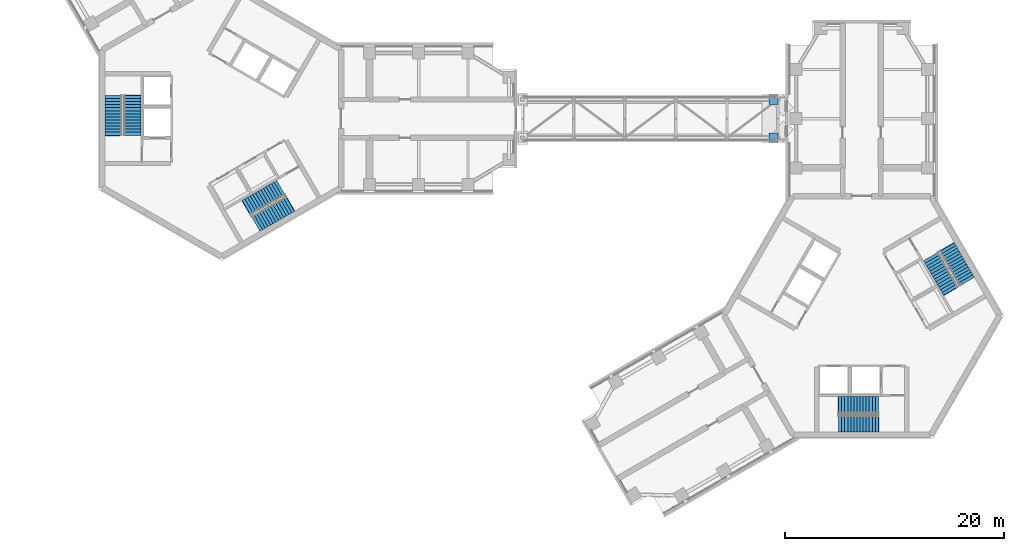
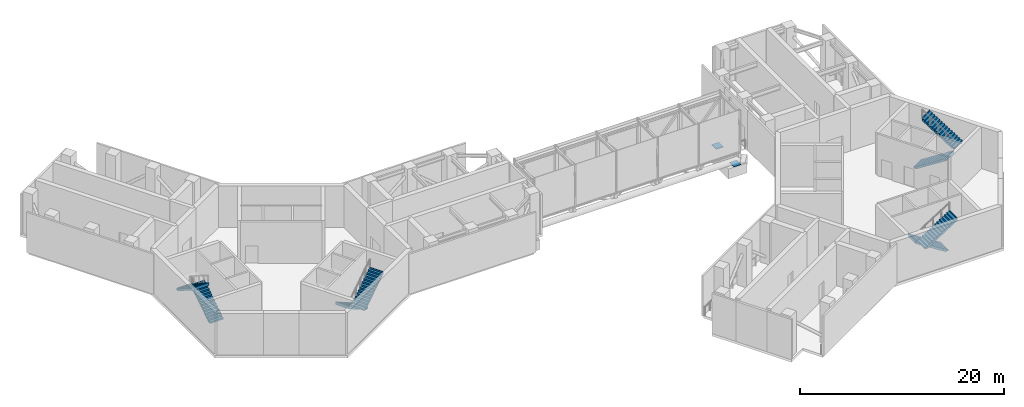
# One storey, part 12 of 15: 8 stair flights, 2 discrete accessories, 4 elements without a shape of their own.
"""IFC4 building model written with IfcOpenShell, lengths in metres."""

from ifc_helpers import new_model, si_unit, direction, frame, origin, origin_2d, place, context, subcontext, project, spatial, polyline, rectangle, outline, extrude, material, material_profile, profile_set, type_object, element, aggregate, save


model = new_model("IFC4")

# Units and contexts
model_context = context("Model", 3, precision=1e-05, world=origin(), true_north=direction((0.0, 1.0)))
body_context = subcontext(model_context, "Body", "Model", "MODEL_VIEW")
ifc_project = project(units=[si_unit("LENGTHUNIT", "METRE"), si_unit("AREAUNIT", "SQUARE_METRE"), si_unit("VOLUMEUNIT", "CUBIC_METRE"), si_unit("PLANEANGLEUNIT", "RADIAN"), si_unit("MASSUNIT", "GRAM", prefix="KILO")], contexts=[model_context])

# Site, building, storey
site_placement = place(None, origin())
site = spatial("IfcSite", under=ifc_project, at=site_placement, CompositionType="ELEMENT")
building_placement = place(site_placement, origin())
building = spatial("IfcBuilding", under=site, at=building_placement, Name="Upepo Twin Towers", CompositionType="ELEMENT")
storey_placement = place(building_placement, frame((0.0, 0.0, 238.5)))
storey = spatial("IfcBuildingStorey", under=building, at=storey_placement, Name="L58", CompositionType="ELEMENT", Elevation=238.5)

# Stair, stair flights
ifc_material_1 = material(Name="Concrete C40/50", Category="concrete")
stair_type = type_object("IfcStairType", Name="Core stair, two flights", PredefinedType="HALF_TURN_STAIR", material=ifc_material_1)
stair_1_placement = place(storey_placement, origin())
stair_1 = element("IfcStair", 1, at=stair_1_placement, inside=storey, type_object=stair_type, Name="T1 stair S1 L58", PredefinedType="HALF_TURN_STAIR")
ifc_material_2 = material(Name="Concrete C40/50", Category="concrete")
stair_flight_type = type_object("IfcStairFlightType", Name="Stair flight 1550 RC", PredefinedType="STRAIGHT", material=ifc_material_2)
stair_flight_1_placement = place(storey_placement, frame((-8.175048828125, -1.52001953125, 0.0), z_axis=(0.0, 0.0, 1.0), x_axis=(0.0, 1.0, 0.0)))
stair_flight_1 = element("IfcStairFlight", 2, at=stair_flight_1_placement, type_object=stair_flight_type, Name="Stair S1 flight 1", NumberOfRisers=14, NumberOfTreads=13, PredefinedType="STRAIGHT", RiserHeight=0.178571429, TreadLength=0.28, context=body_context, shape_type="SweptSolid", body=[
    extrude(outline(polyline([(0.0, 0.0), (0.0, 0.178466796875), (0.280029296875, 0.178466796875), (0.280029296875, 0.357177734375), (0.56005859375, 0.357177734375), (0.56005859375, 0.53564453125), (0.840087890625, 0.53564453125), (0.840087890625, 0.71435546875), (1.1201171875, 0.71435546875), (1.1201171875, 0.892822265625), (1.39990234375, 0.892822265625), (1.39990234375, 1.071533203125), (1.679931640625, 1.071533203125), (1.679931640625, 1.25), (1.9599609375, 1.25), (1.9599609375, 1.428466796875), (2.239990234375, 1.428466796875), (2.239990234375, 1.607177734375), (2.52001953125, 1.607177734375), (2.52001953125, 1.78564453125), (2.800048828125, 1.78564453125), (2.800048828125, 1.96435546875), (3.080078125, 1.96435546875), (3.080078125, 2.142822265625), (3.360107421875, 2.142822265625), (3.360107421875, 2.321533203125), (3.639892578125, 2.321533203125), (3.639892578125, 2.5), (3.68994140625, 2.5), (3.68994140625, 2.1435546875), (0.328857421875, 0.0), (0.0, 0.0)])), frame((0.0, 0.77490234375, 0.0), z_axis=(0.0, -1.0, 0.0), x_axis=(1.0, 0.0, 0.0)), (0.0, 0.0, 1.0), 1.550048828125),
])
stair_flight_2_placement = place(storey_placement, frame((-9.88330078125, 2.1201171875, 2.5), z_axis=(0.0, 0.0, 1.0), x_axis=(0.0, -1.0, 0.0)))
stair_flight_2 = element("IfcStairFlight", 3, at=stair_flight_2_placement, type_object=stair_flight_type, Name="Stair S1 flight 2", NumberOfRisers=14, NumberOfTreads=13, PredefinedType="STRAIGHT", RiserHeight=0.178571429, TreadLength=0.28, context=body_context, shape_type="SweptSolid", body=[
    extrude(outline(polyline([(0.0, 0.0), (0.0, 0.178466796875), (0.280029296875, 0.178466796875), (0.280029296875, 0.357177734375), (0.56005859375, 0.357177734375), (0.56005859375, 0.53564453125), (0.840087890625, 0.53564453125), (0.840087890625, 0.71435546875), (1.1201171875, 0.71435546875), (1.1201171875, 0.892822265625), (1.39990234375, 0.892822265625), (1.39990234375, 1.071533203125), (1.679931640625, 1.071533203125), (1.679931640625, 1.25), (1.9599609375, 1.25), (1.9599609375, 1.428466796875), (2.239990234375, 1.428466796875), (2.239990234375, 1.607177734375), (2.52001953125, 1.607177734375), (2.52001953125, 1.78564453125), (2.800048828125, 1.78564453125), (2.800048828125, 1.96435546875), (3.080078125, 1.96435546875), (3.080078125, 2.142822265625), (3.360107421875, 2.142822265625), (3.360107421875, 2.321533203125), (3.639892578125, 2.321533203125), (3.639892578125, 2.5), (3.68994140625, 2.5), (3.68994140625, 2.1435546875), (0.328857421875, 0.0), (0.0, 0.0)])), frame((0.0, 0.77490234375, 0.0), z_axis=(0.0, -1.0, 0.0), x_axis=(1.0, 0.0, 0.0)), (0.0, 0.0, 1.0), 1.550048828125),
])
aggregate(stair_1, [stair_flight_1, stair_flight_2])

stair_2_placement = place(storey_placement, origin())
stair_2 = element("IfcStair", 4, at=stair_2_placement, inside=storey, type_object=stair_type, Name="T1 stair S2 L58", PredefinedType="HALF_TURN_STAIR")
stair_flight_3_placement = place(storey_placement, frame((5.40380859375, -6.31982421875, 0.0), z_axis=(0.0, 0.0, 1.0), x_axis=(-0.866025403784, -0.5, 0.0)))
stair_flight_3 = element("IfcStairFlight", 5, at=stair_flight_3_placement, type_object=stair_flight_type, Name="Stair S2 flight 1", NumberOfRisers=14, NumberOfTreads=13, PredefinedType="STRAIGHT", RiserHeight=0.178571429, TreadLength=0.28, context=body_context, shape_type="SweptSolid", body=[
    extrude(outline(polyline([(0.0, 0.0), (0.0, 0.178466796875), (0.280029296875, 0.178466796875), (0.280029296875, 0.357177734375), (0.56005859375, 0.357177734375), (0.56005859375, 0.53564453125), (0.840087890625, 0.53564453125), (0.840087890625, 0.71435546875), (1.1201171875, 0.71435546875), (1.1201171875, 0.892822265625), (1.39990234375, 0.892822265625), (1.39990234375, 1.071533203125), (1.679931640625, 1.071533203125), (1.679931640625, 1.25), (1.9599609375, 1.25), (1.9599609375, 1.428466796875), (2.239990234375, 1.428466796875), (2.239990234375, 1.607177734375), (2.52001953125, 1.607177734375), (2.52001953125, 1.78564453125), (2.800048828125, 1.78564453125), (2.800048828125, 1.96435546875), (3.080078125, 1.96435546875), (3.080078125, 2.142822265625), (3.360107421875, 2.142822265625), (3.360107421875, 2.321533203125), (3.639892578125, 2.321533203125), (3.639892578125, 2.5), (3.68994140625, 2.5), (3.68994140625, 2.1435546875), (0.328857421875, 0.0), (0.0, 0.0)])), frame((0.0, 0.77490234375, 0.0), z_axis=(0.0, -1.0, 0.0), x_axis=(1.0, 0.0, 0.0)), (0.0, 0.0, 1.0), 1.550048828125),
])
stair_flight_4_placement = place(storey_placement, frame((3.105712890625, -9.619140625, 2.5), z_axis=(0.0, 0.0, 1.0), x_axis=(0.866025403784, 0.5, 0.0)))
stair_flight_4 = element("IfcStairFlight", 6, at=stair_flight_4_placement, type_object=stair_flight_type, Name="Stair S2 flight 2", NumberOfRisers=14, NumberOfTreads=13, PredefinedType="STRAIGHT", RiserHeight=0.178571429, TreadLength=0.28, context=body_context, shape_type="SweptSolid", body=[
    extrude(outline(polyline([(0.0, 0.0), (0.0, 0.178466796875), (0.280029296875, 0.178466796875), (0.280029296875, 0.357177734375), (0.56005859375, 0.357177734375), (0.56005859375, 0.53564453125), (0.840087890625, 0.53564453125), (0.840087890625, 0.71435546875), (1.1201171875, 0.71435546875), (1.1201171875, 0.892822265625), (1.39990234375, 0.892822265625), (1.39990234375, 1.071533203125), (1.679931640625, 1.071533203125), (1.679931640625, 1.25), (1.9599609375, 1.25), (1.9599609375, 1.428466796875), (2.239990234375, 1.428466796875), (2.239990234375, 1.607177734375), (2.52001953125, 1.607177734375), (2.52001953125, 1.78564453125), (2.800048828125, 1.78564453125), (2.800048828125, 1.96435546875), (3.080078125, 1.96435546875), (3.080078125, 2.142822265625), (3.360107421875, 2.142822265625), (3.360107421875, 2.321533203125), (3.639892578125, 2.321533203125), (3.639892578125, 2.5), (3.68994140625, 2.5), (3.68994140625, 2.1435546875), (0.328857421875, 0.0), (0.0, 0.0)])), frame((0.0, 0.77490234375, 0.0), z_axis=(0.0, -1.0, 0.0), x_axis=(1.0, 0.0, 0.0)), (0.0, 0.0, 1.0), 1.550048828125),
])
aggregate(stair_2, [stair_flight_3, stair_flight_4])

stair_3_placement = place(storey_placement, origin())
stair_3 = element("IfcStair", 7, at=stair_3_placement, inside=storey, type_object=stair_type, Name="T2 stair S1 L58", PredefinedType="HALF_TURN_STAIR")
stair_flight_5_placement = place(storey_placement, frame((60.02001953125, -26.175048828125, 0.0), z_axis=(0.0, 0.0, 1.0), x_axis=(-1.0, 0.0, 0.0)))
stair_flight_5 = element("IfcStairFlight", 8, at=stair_flight_5_placement, type_object=stair_flight_type, Name="Stair S1 flight 1", NumberOfRisers=14, NumberOfTreads=13, PredefinedType="STRAIGHT", RiserHeight=0.178571429, TreadLength=0.28, context=body_context, shape_type="SweptSolid", body=[
    extrude(outline(polyline([(0.0, 0.0), (0.0, 0.178466796875), (0.280029296875, 0.178466796875), (0.280029296875, 0.357177734375), (0.56005859375, 0.357177734375), (0.56005859375, 0.53564453125), (0.840087890625, 0.53564453125), (0.840087890625, 0.71435546875), (1.1201171875, 0.71435546875), (1.1201171875, 0.892822265625), (1.39990234375, 0.892822265625), (1.39990234375, 1.071533203125), (1.679931640625, 1.071533203125), (1.679931640625, 1.25), (1.9599609375, 1.25), (1.9599609375, 1.428466796875), (2.239990234375, 1.428466796875), (2.239990234375, 1.607177734375), (2.52001953125, 1.607177734375), (2.52001953125, 1.78564453125), (2.800048828125, 1.78564453125), (2.800048828125, 1.96435546875), (3.080078125, 1.96435546875), (3.080078125, 2.142822265625), (3.360107421875, 2.142822265625), (3.360107421875, 2.321533203125), (3.639892578125, 2.321533203125), (3.639892578125, 2.5), (3.68994140625, 2.5), (3.68994140625, 2.1435546875), (0.328857421875, 0.0), (0.0, 0.0)])), frame((0.0, 0.77490234375, 0.0), z_axis=(0.0, -1.0, 0.0), x_axis=(1.0, 0.0, 0.0)), (0.0, 0.0, 1.0), 1.550048828125),
])
stair_flight_6_placement = place(storey_placement, frame((56.3798828125, -27.88330078125, 2.5), z_axis=(0.0, 0.0, 1.0), x_axis=(1.0, 0.0, 0.0)))
stair_flight_6 = element("IfcStairFlight", 9, at=stair_flight_6_placement, type_object=stair_flight_type, Name="Stair S1 flight 2", NumberOfRisers=14, NumberOfTreads=13, PredefinedType="STRAIGHT", RiserHeight=0.178571429, TreadLength=0.28, context=body_context, shape_type="SweptSolid", body=[
    extrude(outline(polyline([(0.0, 0.0), (0.0, 0.178466796875), (0.280029296875, 0.178466796875), (0.280029296875, 0.357177734375), (0.56005859375, 0.357177734375), (0.56005859375, 0.53564453125), (0.840087890625, 0.53564453125), (0.840087890625, 0.71435546875), (1.1201171875, 0.71435546875), (1.1201171875, 0.892822265625), (1.39990234375, 0.892822265625), (1.39990234375, 1.071533203125), (1.679931640625, 1.071533203125), (1.679931640625, 1.25), (1.9599609375, 1.25), (1.9599609375, 1.428466796875), (2.239990234375, 1.428466796875), (2.239990234375, 1.607177734375), (2.52001953125, 1.607177734375), (2.52001953125, 1.78564453125), (2.800048828125, 1.78564453125), (2.800048828125, 1.96435546875), (3.080078125, 1.96435546875), (3.080078125, 2.142822265625), (3.360107421875, 2.142822265625), (3.360107421875, 2.321533203125), (3.639892578125, 2.321533203125), (3.639892578125, 2.5), (3.68994140625, 2.5), (3.68994140625, 2.1435546875), (0.328857421875, 0.0), (0.0, 0.0)])), frame((0.0, 0.77490234375, 0.0), z_axis=(0.0, -1.0, 0.0), x_axis=(1.0, 0.0, 0.0)), (0.0, 0.0, 1.0), 1.550048828125),
])
aggregate(stair_3, [stair_flight_5, stair_flight_6])

stair_4_placement = place(storey_placement, origin())
stair_4 = element("IfcStair", 10, at=stair_4_placement, inside=storey, type_object=stair_type, Name="T2 stair S2 L58", PredefinedType="HALF_TURN_STAIR")
stair_flight_7_placement = place(storey_placement, frame((64.81982421875, -12.59619140625, 0.0), z_axis=(0.0, 0.0, 1.0), x_axis=(0.5, -0.866025403784, 0.0)))
stair_flight_7 = element("IfcStairFlight", 11, at=stair_flight_7_placement, type_object=stair_flight_type, Name="Stair S2 flight 1", NumberOfRisers=14, NumberOfTreads=13, PredefinedType="STRAIGHT", RiserHeight=0.178571429, TreadLength=0.28, context=body_context, shape_type="SweptSolid", body=[
    extrude(outline(polyline([(0.0, 0.0), (0.0, 0.178466796875), (0.280029296875, 0.178466796875), (0.280029296875, 0.357177734375), (0.56005859375, 0.357177734375), (0.56005859375, 0.53564453125), (0.840087890625, 0.53564453125), (0.840087890625, 0.71435546875), (1.1201171875, 0.71435546875), (1.1201171875, 0.892822265625), (1.39990234375, 0.892822265625), (1.39990234375, 1.071533203125), (1.679931640625, 1.071533203125), (1.679931640625, 1.25), (1.9599609375, 1.25), (1.9599609375, 1.428466796875), (2.239990234375, 1.428466796875), (2.239990234375, 1.607177734375), (2.52001953125, 1.607177734375), (2.52001953125, 1.78564453125), (2.800048828125, 1.78564453125), (2.800048828125, 1.96435546875), (3.080078125, 1.96435546875), (3.080078125, 2.142822265625), (3.360107421875, 2.142822265625), (3.360107421875, 2.321533203125), (3.639892578125, 2.321533203125), (3.639892578125, 2.5), (3.68994140625, 2.5), (3.68994140625, 2.1435546875), (0.328857421875, 0.0), (0.0, 0.0)])), frame((0.0, 0.77490234375, 0.0), z_axis=(0.0, -1.0, 0.0), x_axis=(1.0, 0.0, 0.0)), (0.0, 0.0, 1.0), 1.550048828125),
])
stair_flight_8_placement = place(storey_placement, frame((68.119140625, -14.894287109375, 2.5), z_axis=(0.0, 0.0, 1.0), x_axis=(-0.5, 0.866025403784, 0.0)))
stair_flight_8 = element("IfcStairFlight", 12, at=stair_flight_8_placement, type_object=stair_flight_type, Name="Stair S2 flight 2", NumberOfRisers=14, NumberOfTreads=13, PredefinedType="STRAIGHT", RiserHeight=0.178571429, TreadLength=0.28, context=body_context, shape_type="SweptSolid", body=[
    extrude(outline(polyline([(0.0, 0.0), (0.0, 0.178466796875), (0.280029296875, 0.178466796875), (0.280029296875, 0.357177734375), (0.56005859375, 0.357177734375), (0.56005859375, 0.53564453125), (0.840087890625, 0.53564453125), (0.840087890625, 0.71435546875), (1.1201171875, 0.71435546875), (1.1201171875, 0.892822265625), (1.39990234375, 0.892822265625), (1.39990234375, 1.071533203125), (1.679931640625, 1.071533203125), (1.679931640625, 1.25), (1.9599609375, 1.25), (1.9599609375, 1.428466796875), (2.239990234375, 1.428466796875), (2.239990234375, 1.607177734375), (2.52001953125, 1.607177734375), (2.52001953125, 1.78564453125), (2.800048828125, 1.78564453125), (2.800048828125, 1.96435546875), (3.080078125, 1.96435546875), (3.080078125, 2.142822265625), (3.360107421875, 2.142822265625), (3.360107421875, 2.321533203125), (3.639892578125, 2.321533203125), (3.639892578125, 2.5), (3.68994140625, 2.5), (3.68994140625, 2.1435546875), (0.328857421875, 0.0), (0.0, 0.0)])), frame((0.0, 0.77490234375, 0.0), z_axis=(0.0, -1.0, 0.0), x_axis=(1.0, 0.0, 0.0)), (0.0, 0.0, 1.0), 1.550048828125),
])
aggregate(stair_4, [stair_flight_7, stair_flight_8])

# Discrete accessories
ifc_material_3 = material(Name="Steel S355 with PTFE slide", Category="steel")
ifc_material_profile = material_profile(ifc_material_3, rectangle(XDim=0.800048828125, YDim=0.89990234375, at=origin_2d()), Name="BEARING 800x900 SLIDING")
ifc_profile_set = profile_set([ifc_material_profile], Name="Steel S355 with PTFE slide")
discrete_accessory_type = type_object("IfcDiscreteAccessoryType", Name="Bridge bearing, sliding", PredefinedType="USERDEFINED", material=ifc_profile_set)
for number, where, z_axis, x_axis, name in (
    (13, (50.43994140625, 1.75, -1.489013671875), (0.0, 0.0, 1.0), (1.0, 0.0, 0.0), "BR3 sliding bearing at T2 N"),
    (14, (50.43994140625, -1.75, -1.489013671875), (0.0, 0.0, 1.0), (1.0, 0.0, 0.0), "BR3 sliding bearing at T2 S"),
):
    element("IfcDiscreteAccessory", number, at=place(storey_placement, frame(where, z_axis=z_axis, x_axis=x_axis)), inside=storey, type_object=discrete_accessory_type, Name=name, ObjectType="BEARING", PredefinedType="USERDEFINED", context=body_context, shape_type="SweptSolid", body=[
        extrude(rectangle(XDim=0.800048828125, YDim=0.89990234375, at=origin_2d()), origin(), (0.0, 0.0, 1.0), 0.044921875),
    ])

save(model, "model.ifc")
